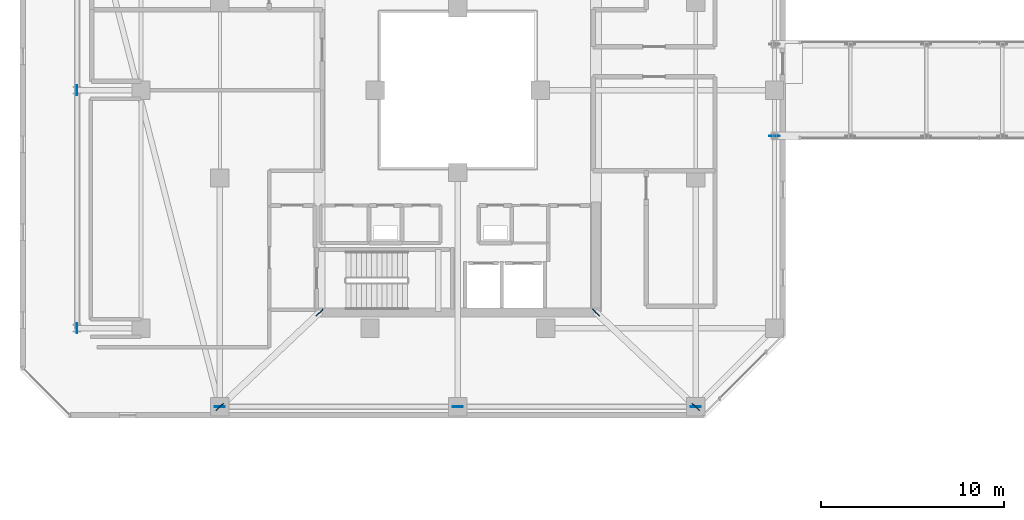
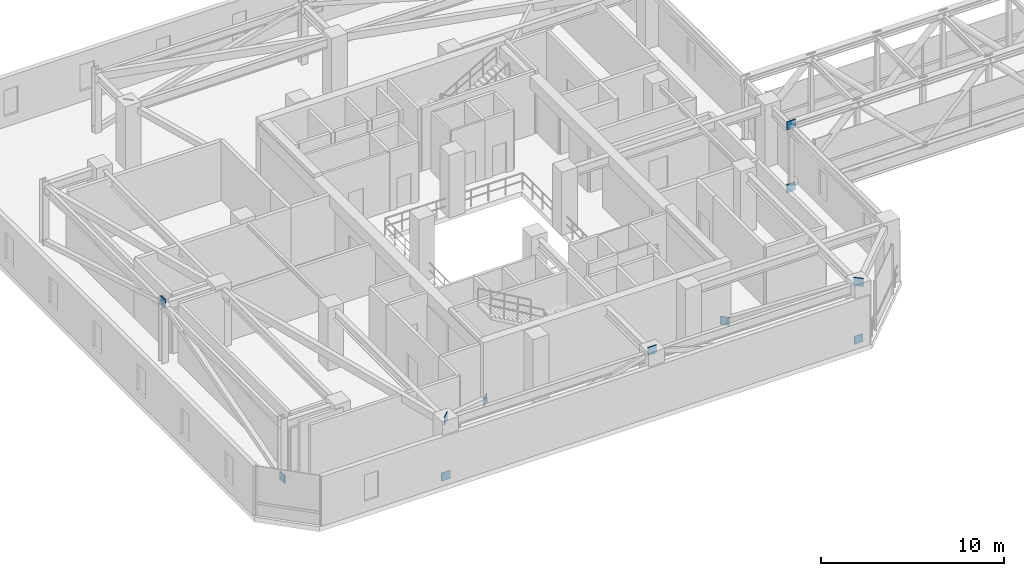
# One storey, part 28 of 42: 11 plates.
"""IFC4 building model written with IfcOpenShell, lengths in metres."""

from ifc_helpers import new_model, si_unit, direction, frame, origin, origin_2d, place, context, subcontext, project, spatial, rectangle, extrude, material, layer, layer_set, type_object, element, save


model = new_model("IFC4")

# Units and contexts
model_context = context("Model", 3, precision=1e-05, world=origin(), true_north=direction((0.0, 1.0)))
body_context = subcontext(model_context, "Body", "Model", "MODEL_VIEW")
ifc_project = project(units=[si_unit("LENGTHUNIT", "METRE"), si_unit("AREAUNIT", "SQUARE_METRE"), si_unit("VOLUMEUNIT", "CUBIC_METRE"), si_unit("PLANEANGLEUNIT", "RADIAN"), si_unit("MASSUNIT", "GRAM", prefix="KILO")], contexts=[model_context])

# Site, building, storey
site_placement = place(None, origin())
site = spatial("IfcSite", under=ifc_project, at=site_placement, CompositionType="ELEMENT")
building_placement = place(site_placement, origin())
building = spatial("IfcBuilding", under=site, at=building_placement, Name="Thornwick Lancets Civic Towers", CompositionType="ELEMENT")
storey_placement = place(building_placement, frame((0.0, 0.0, 221.699951171875)))
storey = spatial("IfcBuildingStorey", under=building, at=storey_placement, Name="L59", CompositionType="ELEMENT", Elevation=221.699951171875)

# Plates
ifc_material = material(Name="Steel S460M", Category="steel")
ifc_layer = layer(ifc_material, 0.0400390625, Name="Steel S460M")
ifc_layer_set = layer_set([ifc_layer], Name="Steel S460M")
plate_type = type_object("IfcPlateType", Name="PLT_GUSSET_40", PredefinedType="USERDEFINED", material=ifc_layer_set)
for number, where, z_axis, x_axis, name in (
    (1, (42.800048828125, 24.5, -0.4951171875), (0.0, 0.0, 1.0), (1.0, 0.0, 0.0), "L59 Brace Connection Gusset Plate 0311"),
    (2, (42.800048828125, 24.5, 3.68505859375), (0.0, 0.0, 1.0), (1.0, 0.0, 0.0), "L59 Brace Connection Gusset Plate 0312"),
    (3, (12.5, 9.699951171875, -0.125), (0.0, 0.0, 1.0), (1.0, 0.0, 0.0), "L59 Brace Connection Gusset Plate 0339"),
    (4, (25.5, 9.699951171875, 3.68505859375), (0.0, 0.0, 1.0), (1.0, 0.0, 0.0), "L59 Brace Connection Gusset Plate 0340"),
    (5, (38.5, 9.699951171875, -0.125), (0.0, 0.0, 1.0), (-1.0, 0.0, 0.0), "L59 Brace Connection Gusset Plate 0341"),
    (6, (4.699951171875, 14.0, -0.125), (0.0, 0.0, 1.0), (0.0, 1.0, 0.0), "L59 Brace Connection Gusset Plate 0345"),
    (7, (4.699951171875, 27.0, 3.68505859375), (0.0, 0.0, 1.0), (0.0, 1.0, 0.0), "L59 Brace Connection Gusset Plate 0346"),
    (8, (33.050048828125, 14.85009765625, -0.125), (0.0, 0.0, 1.0), (0.726814465487, -0.686833846544, 0.0), "L59 Brace Connection Gusset Plate 0348"),
    (9, (38.5, 9.699951171875, 3.68505859375), (0.0, 0.0, 1.0), (0.726814465487, -0.686833846544, 0.0), "L59 Brace Connection Gusset Plate 0349"),
    (10, (17.949951171875, 14.85009765625, -0.125), (0.0, 0.0, 1.0), (-0.726814465487, -0.686833846544, 0.0), "L59 Brace Connection Gusset Plate 0350"),
    (11, (12.5, 9.699951171875, 3.68505859375), (0.0, 0.0, 1.0), (-0.726814465487, -0.686833846544, 0.0), "L59 Brace Connection Gusset Plate 0351"),
):
    element("IfcPlate", number, at=place(storey_placement, frame(where, z_axis=z_axis, x_axis=x_axis)), inside=storey, type_object=plate_type, Name=name, ObjectType="GUSSET_PLATE", PredefinedType="USERDEFINED", context=body_context, shape_type="SweptSolid", body=[
        extrude(rectangle(XDim=0.550048828125, YDim=0.0400390625, at=origin_2d()), origin(), (0.0, 0.0, 1.0), 0.550048828125),
    ])

save(model, "model.ifc")
